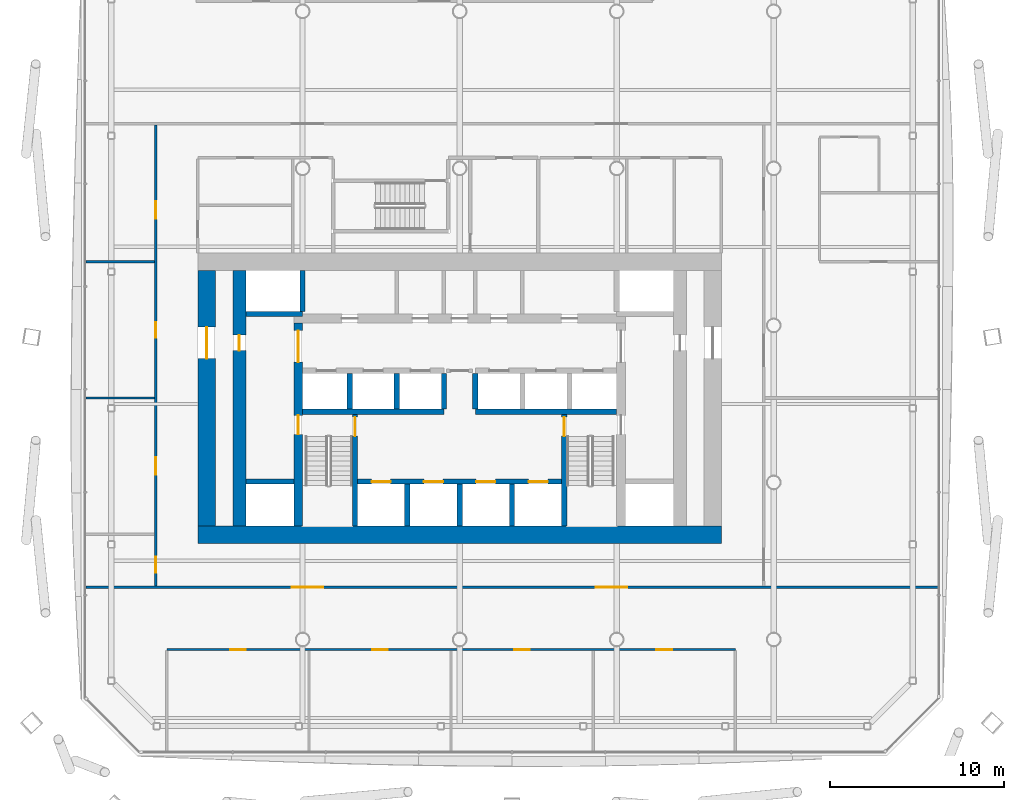
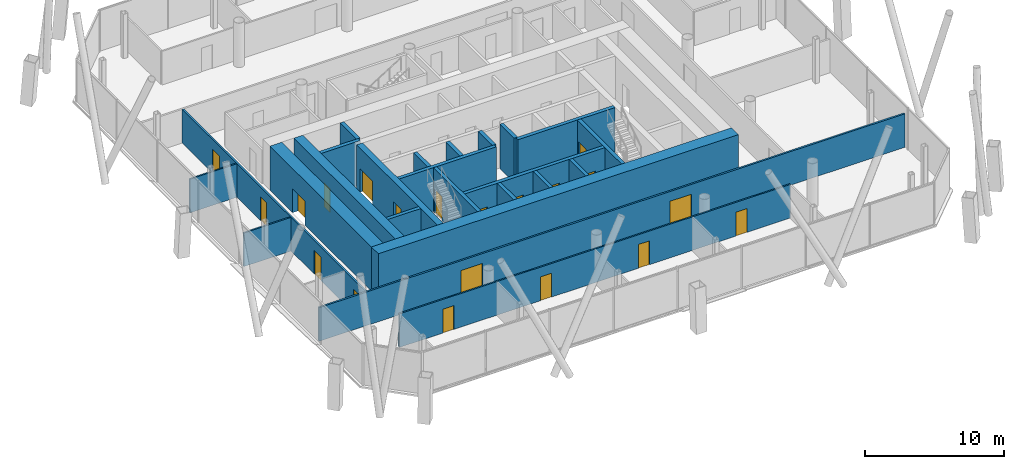
# One storey, part 14 of 22: 24 walls, 20 doors, 20 openings.
"""IFC4 building model written with IfcOpenShell, lengths in metres."""

from ifc_helpers import new_model, si_unit, direction, frame, frame_2d, origin, place, context, subcontext, project, spatial, rectangle, extrude, material, layer, layer_set, type_object, element, fill, save


model = new_model("IFC4")

# Units and contexts
model_context = context("Model", 3, precision=1e-05, world=origin(), true_north=direction((0.0, 1.0)))
body_context = subcontext(model_context, "Body", "Model", "MODEL_VIEW")
ifc_project = project(units=[si_unit("LENGTHUNIT", "METRE"), si_unit("AREAUNIT", "SQUARE_METRE"), si_unit("VOLUMEUNIT", "CUBIC_METRE"), si_unit("PLANEANGLEUNIT", "RADIAN"), si_unit("MASSUNIT", "GRAM", prefix="KILO")], contexts=[model_context])

# Site, building, storey
site_placement = place(None, origin())
site = spatial("IfcSite", under=ifc_project, at=site_placement, CompositionType="ELEMENT")
building_placement = place(site_placement, origin())
building = spatial("IfcBuilding", under=site, at=building_placement, Name="Tskaro Facet Tower", CompositionType="ELEMENT")
storey_placement = place(building_placement, frame((0.0, 0.0, 85.5)))
storey = spatial("IfcBuildingStorey", under=building, at=storey_placement, Name="L20", CompositionType="ELEMENT", Elevation=85.5)

# Wall
ifc_material_1 = material(Name="Concrete C60/75", Category="concrete")
ifc_layer_1 = layer(ifc_material_1, 0.300048828125, Name="Concrete C60/75")
ifc_layer_set_1 = layer_set([ifc_layer_1], Name="Concrete C60/75")
wall_type_1 = type_object("IfcWallType", Name="CORE-SHAFT", PredefinedType="SHEAR", material=ifc_layer_set_1)
wall_1_placement = place(storey_placement, frame((-12.25, -8.949951171875, 0.0), z_axis=(0.0, 0.0, 1.0), x_axis=(1.0, 0.0, 0.0)))
element("IfcWall", 1, at=wall_1_placement, inside=storey, type_object=wall_type_1, Name="Shaft wall W004", PredefinedType="SHEAR", context=body_context, shape_type="SweptSolid", body=[
    extrude(rectangle(XDim=2.75, YDim=0.300048828125, at=frame_2d((1.375, 0.0))), origin(), (0.0, 0.0, 1.0), 3.89990234375),
])

# Wall, openings, doors
wall_2_placement = place(storey_placement, frame((-5.85009765625, -8.949951171875, 0.0), z_axis=(0.0, 0.0, 1.0), x_axis=(1.0, 0.0, 0.0)))
wall_2 = element("IfcWall", 2, at=wall_2_placement, inside=storey, type_object=wall_type_1, Name="Shaft wall W005", PredefinedType="SHEAR", context=body_context, shape_type="SweptSolid", body=[
    extrude(rectangle(XDim=11.7001953125, YDim=0.300048828125, at=frame_2d((5.85009765625, 0.0))), origin(), (0.0, 0.0, 1.0), 3.89990234375),
])
opening_1_placement = place(wall_2_placement, frame((0.800048828125, 0.0, 0.0)))
opening_1 = element("IfcOpeningElement", 3, at=opening_1_placement, cuts=wall_2, Name="Opening LD-FF1", PredefinedType="OPENING", context=body_context, shape_type="SweptSolid", body=[
    extrude(rectangle(XDim=1.10009765625, YDim=2.10009765625, at=frame_2d((0.550048828125, 1.050048828125))), frame((0.0, 0.159912109375, 0.0), z_axis=(0.0, -1.0, 0.0), x_axis=(1.0, 0.0, 0.0)), (0.0, 0.0, 1.0), 0.320068359375),
])
opening_2_placement = place(wall_2_placement, frame((3.800048828125, 0.0, 0.0)))
opening_2 = element("IfcOpeningElement", 4, at=opening_2_placement, cuts=wall_2, Name="Opening LD-FF2", PredefinedType="OPENING", context=body_context, shape_type="SweptSolid", body=[
    extrude(rectangle(XDim=1.10009765625, YDim=2.10009765625, at=frame_2d((0.550048828125, 1.050048828125))), frame((0.0, 0.159912109375, 0.0), z_axis=(0.0, -1.0, 0.0), x_axis=(1.0, 0.0, 0.0)), (0.0, 0.0, 1.0), 0.320068359375),
])
opening_3_placement = place(wall_2_placement, frame((6.800048828125, 0.0, 0.0)))
opening_3 = element("IfcOpeningElement", 5, at=opening_3_placement, cuts=wall_2, Name="Opening LD-SV1", PredefinedType="OPENING", context=body_context, shape_type="SweptSolid", body=[
    extrude(rectangle(XDim=1.10009765625, YDim=2.10009765625, at=frame_2d((0.550048828125, 1.050048828125))), frame((0.0, 0.159912109375, 0.0), z_axis=(0.0, -1.0, 0.0), x_axis=(1.0, 0.0, 0.0)), (0.0, 0.0, 1.0), 0.320068359375),
])
opening_4_placement = place(wall_2_placement, frame((9.800048828125, 0.0, 0.0)))
opening_4 = element("IfcOpeningElement", 6, at=opening_4_placement, cuts=wall_2, Name="Opening LD-SV2", PredefinedType="OPENING", context=body_context, shape_type="SweptSolid", body=[
    extrude(rectangle(XDim=1.10009765625, YDim=2.10009765625, at=frame_2d((0.550048828125, 1.050048828125))), frame((0.0, 0.159912109375, 0.0), z_axis=(0.0, -1.0, 0.0), x_axis=(1.0, 0.0, 0.0)), (0.0, 0.0, 1.0), 0.320068359375),
])
ifc_material_2 = material(Name="Stainless steel", Category="steel")
door_type_1 = type_object("IfcDoorType", Name="D-LANDING", OperationType="NOTDEFINED", PredefinedType="DOOR", material=ifc_material_2)
door_1_placement = place(opening_1_placement, origin())
door_1 = element("IfcDoor", 7, at=door_1_placement, inside=storey, type_object=door_type_1, Name="Landing door FF1", OperationType="DOUBLE_DOOR_SLIDING", OverallHeight=2.10009765625, OverallWidth=1.10009765625, PredefinedType="DOOR", context=body_context, shape_type="SweptSolid", body=[
    extrude(rectangle(XDim=1.10009765625, YDim=2.10009765625, at=frame_2d((0.550048828125, 1.050048828125))), frame((0.0, 0.02490234375, 0.0), z_axis=(0.0, -1.0, 0.0), x_axis=(1.0, 0.0, 0.0)), (0.0, 0.0, 1.0), 0.050048828125),
])
fill(opening_1, door_1)
door_2_placement = place(opening_2_placement, origin())
door_2 = element("IfcDoor", 8, at=door_2_placement, inside=storey, type_object=door_type_1, Name="Landing door FF2", OperationType="DOUBLE_DOOR_SLIDING", OverallHeight=2.10009765625, OverallWidth=1.10009765625, PredefinedType="DOOR", context=body_context, shape_type="SweptSolid", body=[
    extrude(rectangle(XDim=1.10009765625, YDim=2.10009765625, at=frame_2d((0.550048828125, 1.050048828125))), frame((0.0, 0.02490234375, 0.0), z_axis=(0.0, -1.0, 0.0), x_axis=(1.0, 0.0, 0.0)), (0.0, 0.0, 1.0), 0.050048828125),
])
fill(opening_2, door_2)
door_3_placement = place(opening_3_placement, origin())
door_3 = element("IfcDoor", 9, at=door_3_placement, inside=storey, type_object=door_type_1, Name="Landing door SV1", OperationType="DOUBLE_DOOR_SLIDING", OverallHeight=2.10009765625, OverallWidth=1.10009765625, PredefinedType="DOOR", context=body_context, shape_type="SweptSolid", body=[
    extrude(rectangle(XDim=1.10009765625, YDim=2.10009765625, at=frame_2d((0.550048828125, 1.050048828125))), frame((0.0, 0.02490234375, 0.0), z_axis=(0.0, -1.0, 0.0), x_axis=(1.0, 0.0, 0.0)), (0.0, 0.0, 1.0), 0.050048828125),
])
fill(opening_3, door_3)
door_4_placement = place(opening_4_placement, origin())
door_4 = element("IfcDoor", 10, at=door_4_placement, inside=storey, type_object=door_type_1, Name="Landing door SV2", OperationType="DOUBLE_DOOR_SLIDING", OverallHeight=2.10009765625, OverallWidth=1.10009765625, PredefinedType="DOOR", context=body_context, shape_type="SweptSolid", body=[
    extrude(rectangle(XDim=1.10009765625, YDim=2.10009765625, at=frame_2d((0.550048828125, 1.050048828125))), frame((0.0, 0.02490234375, 0.0), z_axis=(0.0, -1.0, 0.0), x_axis=(1.0, 0.0, 0.0)), (0.0, 0.0, 1.0), 0.050048828125),
])
fill(opening_4, door_4)

# Walls
for number, where, z_axis, x_axis, name in (
    (11, (-9.0, -4.949951171875, 0.0), (0.0, 0.0, 1.0), (1.0, 0.0, 0.0), "Shaft wall W007"),
    (12, (0.89990234375, -4.949951171875, 0.0), (0.0, 0.0, 1.0), (1.0, 0.0, 0.0), "Shaft wall W008"),
):
    element("IfcWall", number, at=place(storey_placement, frame(where, z_axis=z_axis, x_axis=x_axis)), inside=storey, type_object=wall_type_1, Name=name, PredefinedType="SHEAR", context=body_context, shape_type="SweptSolid", body=[
        extrude(rectangle(XDim=8.10009765625, YDim=0.300048828125, at=frame_2d((4.050048828125, 0.0))), origin(), (0.0, 0.0, 1.0), 3.89990234375),
    ])
wall_3_placement = place(storey_placement, frame((-9.0, 0.64990234375, 0.0), z_axis=(0.0, 0.0, 1.0), x_axis=(-1.0, 0.0, 0.0)))
element("IfcWall", 13, at=wall_3_placement, inside=storey, type_object=wall_type_1, Name="Shaft wall W014", PredefinedType="SHEAR", context=body_context, shape_type="SweptSolid", body=[
    extrude(rectangle(XDim=3.25, YDim=0.300048828125, at=frame_2d((1.625, 0.0))), origin(), (0.0, 0.0, 1.0), 3.89990234375),
])
wall_4_placement = place(storey_placement, frame((-9.0, 0.800048828125, 0.0), z_axis=(0.0, 0.0, 1.0), x_axis=(0.0, 1.0, 0.0)))
element("IfcWall", 14, at=wall_4_placement, inside=storey, type_object=wall_type_1, Name="Shaft wall W033", PredefinedType="SHEAR", context=body_context, shape_type="SweptSolid", body=[
    extrude(rectangle(XDim=2.349853515625, YDim=0.300048828125, at=frame_2d((1.1748046875, 0.0))), origin(), (0.0, 0.0, 1.0), 3.89990234375),
])
wall_5_placement = place(storey_placement, frame((-6.300048828125, -4.800048828125, 0.0), z_axis=(0.0, 0.0, 1.0), x_axis=(0.0, 1.0, 0.0)))
element("IfcWall", 15, at=wall_5_placement, inside=storey, type_object=wall_type_1, Name="Shaft wall W039", PredefinedType="SHEAR", context=body_context, shape_type="SweptSolid", body=[
    extrude(rectangle(XDim=2.050048828125, YDim=0.300048828125, at=frame_2d((1.02490234375, 0.0))), origin(), (0.0, 0.0, 1.0), 3.89990234375),
])

# Wall, opening, door
wall_6_placement = place(storey_placement, frame((-6.0, -11.5, 0.0), z_axis=(0.0, 0.0, 1.0), x_axis=(0.0, 1.0, 0.0)))
wall_6 = element("IfcWall", 16, at=wall_6_placement, inside=storey, type_object=wall_type_1, Name="Shaft wall W040", PredefinedType="SHEAR", context=body_context, shape_type="SweptSolid", body=[
    extrude(rectangle(XDim=6.39990234375, YDim=0.300048828125, at=frame_2d((3.199951171875, 0.0))), origin(), (0.0, 0.0, 1.0), 3.89990234375),
])
opening_5_placement = place(wall_6_placement, frame((5.14990234375, 0.0, 0.0)))
opening_5 = element("IfcOpeningElement", 17, at=opening_5_placement, cuts=wall_6, Name="Opening ST-1-D1", PredefinedType="OPENING", context=body_context, shape_type="SweptSolid", body=[
    extrude(rectangle(XDim=1.10009765625, YDim=2.10009765625, at=frame_2d((0.550048828125, 1.050048828125))), frame((0.0, 0.159912109375, 0.0), z_axis=(0.0, -1.0, 0.0), x_axis=(1.0, 0.0, 0.0)), (0.0, 0.0, 1.0), 0.320068359375),
])
ifc_material_3 = material(Name="Steel", Category="steel")
door_type_2 = type_object("IfcDoorType", Name="D-STAIR", OperationType="NOTDEFINED", PredefinedType="DOOR", material=ifc_material_3)
door_5_placement = place(opening_5_placement, origin())
door_5 = element("IfcDoor", 18, at=door_5_placement, inside=storey, type_object=door_type_2, Name="Stair door 1", OperationType="SINGLE_SWING_LEFT", OverallHeight=2.10009765625, OverallWidth=1.10009765625, PredefinedType="DOOR", context=body_context, shape_type="SweptSolid", body=[
    extrude(rectangle(XDim=1.10009765625, YDim=2.10009765625, at=frame_2d((0.550048828125, 1.050048828125))), frame((0.0, 0.02490234375, 0.0), z_axis=(0.0, -1.0, 0.0), x_axis=(1.0, 0.0, 0.0)), (0.0, 0.0, 1.0), 0.050048828125),
])
fill(opening_5, door_5)

# Walls
wall_7_placement = place(storey_placement, frame((-3.60009765625, -4.800048828125, 0.0), z_axis=(0.0, 0.0, 1.0), x_axis=(0.0, 1.0, 0.0)))
element("IfcWall", 19, at=wall_7_placement, inside=storey, type_object=wall_type_1, Name="Shaft wall W041", PredefinedType="SHEAR", context=body_context, shape_type="SweptSolid", body=[
    extrude(rectangle(XDim=2.050048828125, YDim=0.300048828125, at=frame_2d((1.02490234375, 0.0))), origin(), (0.0, 0.0, 1.0), 3.89990234375),
])
wall_8_placement = place(storey_placement, frame((-3.0, -11.5, 0.0), z_axis=(0.0, 0.0, 1.0), x_axis=(0.0, 1.0, 0.0)))
element("IfcWall", 20, at=wall_8_placement, inside=storey, type_object=wall_type_1, Name="Shaft wall W043", PredefinedType="SHEAR", context=body_context, shape_type="SweptSolid", body=[
    extrude(rectangle(XDim=2.39990234375, YDim=0.300048828125, at=frame_2d((1.199951171875, 0.0))), origin(), (0.0, 0.0, 1.0), 3.89990234375),
])
wall_9_placement = place(storey_placement, frame((-0.89990234375, -4.800048828125, 0.0), z_axis=(0.0, 0.0, 1.0), x_axis=(0.0, 1.0, 0.0)))
element("IfcWall", 21, at=wall_9_placement, inside=storey, type_object=wall_type_1, Name="Shaft wall W044", PredefinedType="SHEAR", context=body_context, shape_type="SweptSolid", body=[
    extrude(rectangle(XDim=2.050048828125, YDim=0.300048828125, at=frame_2d((1.02490234375, 0.0))), origin(), (0.0, 0.0, 1.0), 3.89990234375),
])
wall_10_placement = place(storey_placement, frame((0.0, -11.5, 0.0), z_axis=(0.0, 0.0, 1.0), x_axis=(0.0, 1.0, 0.0)))
element("IfcWall", 22, at=wall_10_placement, inside=storey, type_object=wall_type_1, Name="Shaft wall W049", PredefinedType="SHEAR", context=body_context, shape_type="SweptSolid", body=[
    extrude(rectangle(XDim=2.39990234375, YDim=0.300048828125, at=frame_2d((1.199951171875, 0.0))), origin(), (0.0, 0.0, 1.0), 3.89990234375),
])
wall_11_placement = place(storey_placement, frame((0.89990234375, -4.800048828125, 0.0), z_axis=(0.0, 0.0, 1.0), x_axis=(0.0, 1.0, 0.0)))
element("IfcWall", 23, at=wall_11_placement, inside=storey, type_object=wall_type_1, Name="Shaft wall W051", PredefinedType="SHEAR", context=body_context, shape_type="SweptSolid", body=[
    extrude(rectangle(XDim=2.050048828125, YDim=0.300048828125, at=frame_2d((1.02490234375, 0.0))), origin(), (0.0, 0.0, 1.0), 3.89990234375),
])
wall_12_placement = place(storey_placement, frame((3.0, -11.5, 0.0), z_axis=(0.0, 0.0, 1.0), x_axis=(0.0, 1.0, 0.0)))
element("IfcWall", 24, at=wall_12_placement, inside=storey, type_object=wall_type_1, Name="Shaft wall W053", PredefinedType="SHEAR", context=body_context, shape_type="SweptSolid", body=[
    extrude(rectangle(XDim=2.39990234375, YDim=0.300048828125, at=frame_2d((1.199951171875, 0.0))), origin(), (0.0, 0.0, 1.0), 3.89990234375),
])

# Wall, opening, door
wall_13_placement = place(storey_placement, frame((6.0, -5.10009765625, 0.0), z_axis=(0.0, 0.0, 1.0), x_axis=(0.0, -1.0, 0.0)))
wall_13 = element("IfcWall", 25, at=wall_13_placement, inside=storey, type_object=wall_type_1, Name="Shaft wall W057", PredefinedType="SHEAR", context=body_context, shape_type="SweptSolid", body=[
    extrude(rectangle(XDim=6.39990234375, YDim=0.300048828125, at=frame_2d((3.199951171875, 0.0))), origin(), (0.0, 0.0, 1.0), 3.89990234375),
])
opening_6_placement = place(wall_13_placement, frame((0.14990234375, 0.0, 0.0)))
opening_6 = element("IfcOpeningElement", 26, at=opening_6_placement, cuts=wall_13, Name="Opening ST-2-D1", PredefinedType="OPENING", context=body_context, shape_type="SweptSolid", body=[
    extrude(rectangle(XDim=1.10009765625, YDim=2.10009765625, at=frame_2d((0.550048828125, 1.050048828125))), frame((0.0, 0.159912109375, 0.0), z_axis=(0.0, -1.0, 0.0), x_axis=(1.0, 0.0, 0.0)), (0.0, 0.0, 1.0), 0.320068359375),
])
door_6_placement = place(opening_6_placement, origin())
door_6 = element("IfcDoor", 27, at=door_6_placement, inside=storey, type_object=door_type_2, Name="Stair door 2", OperationType="SINGLE_SWING_RIGHT", OverallHeight=2.10009765625, OverallWidth=1.10009765625, PredefinedType="DOOR", context=body_context, shape_type="SweptSolid", body=[
    extrude(rectangle(XDim=1.10009765625, YDim=2.10009765625, at=frame_2d((0.550048828125, 1.050048828125))), frame((0.0, 0.02490234375, 0.0), z_axis=(0.0, -1.0, 0.0), x_axis=(1.0, 0.0, 0.0)), (0.0, 0.0, 1.0), 0.050048828125),
])
fill(opening_6, door_6)

# Wall
ifc_layer_2 = layer(ifc_material_1, 1.0, Name="Concrete C60/75")
ifc_layer_set_2 = layer_set([ifc_layer_2], Name="Concrete C60/75")
wall_type_2 = type_object("IfcWallType", Name="Core wall 1000", PredefinedType="SHEAR", material=ifc_layer_set_2)
wall_14_placement = place(storey_placement, frame((-15.0, -12.0, 0.0), z_axis=(0.0, 0.0, 1.0), x_axis=(1.0, 0.0, 0.0)))
element("IfcWall", 28, at=wall_14_placement, inside=storey, type_object=wall_type_2, Name="Core wall CW-Z1S", PredefinedType="SHEAR", context=body_context, shape_type="SweptSolid", body=[
    extrude(rectangle(XDim=30.0, YDim=1.0, at=frame_2d((15.0, 0.0))), origin(), (0.0, 0.0, 1.0), 3.89990234375),
])

# Wall, opening, door
wall_15_placement = place(storey_placement, frame((-14.5, -11.5, 0.0), z_axis=(0.0, 0.0, 1.0), x_axis=(0.0, 1.0, 0.0)))
wall_15 = element("IfcWall", 29, at=wall_15_placement, inside=storey, type_object=wall_type_2, Name="Core wall CW-Z1W", PredefinedType="SHEAR", context=body_context, shape_type="SweptSolid", body=[
    extrude(rectangle(XDim=14.64990234375, YDim=1.0, at=frame_2d((7.324951171875, 0.0))), origin(), (0.0, 0.0, 1.0), 3.89990234375),
])
opening_7_placement = place(wall_15_placement, frame((9.60009765625, 0.0, 0.0)))
opening_7 = element("IfcOpeningElement", 30, at=opening_7_placement, cuts=wall_15, Name="Opening T6-D15", PredefinedType="OPENING", context=body_context, shape_type="SweptSolid", body=[
    extrude(rectangle(XDim=1.800048828125, YDim=2.10009765625, at=frame_2d((0.89990234375, 1.050048828125))), frame((0.0, 0.510009765625, 0.0), z_axis=(0.0, -1.0, 0.0), x_axis=(1.0, 0.0, 0.0)), (0.0, 0.0, 1.0), 1.02001953125),
])
door_type_3 = type_object("IfcDoorType", Name="D-CORE-PAIR", OperationType="NOTDEFINED", PredefinedType="DOOR", material=ifc_material_3)
door_7_placement = place(opening_7_placement, origin())
door_7 = element("IfcDoor", 31, at=door_7_placement, inside=storey, type_object=door_type_3, Name="Door T6-D15", OperationType="DOUBLE_DOOR_SINGLE_SWING", OverallHeight=2.10009765625, OverallWidth=1.800048828125, PredefinedType="DOOR", context=body_context, shape_type="SweptSolid", body=[
    extrude(rectangle(XDim=1.800048828125, YDim=2.10009765625, at=frame_2d((0.89990234375, 1.050048828125))), frame((0.0, 0.02490234375, 0.0), z_axis=(0.0, -1.0, 0.0), x_axis=(1.0, 0.0, 0.0)), (0.0, 0.0, 1.0), 0.050048828125),
])
fill(opening_7, door_7)

# Wall, openings, doors
ifc_material_4 = material(Name="Concrete C40/50", Category="concrete")
ifc_layer_3 = layer(ifc_material_4, 0.5, Name="Concrete C40/50")
ifc_layer_set_3 = layer_set([ifc_layer_3], Name="Concrete C40/50")
wall_type_3 = type_object("IfcWallType", Name="Core wall 500", PredefinedType="SHEAR", material=ifc_layer_set_3)
wall_16_placement = place(storey_placement, frame((-9.25, -11.5, 0.0), z_axis=(0.0, 0.0, 1.0), x_axis=(0.0, 1.0, 0.0)))
wall_16 = element("IfcWall", 32, at=wall_16_placement, inside=storey, type_object=wall_type_3, Name="Core wall CW-Z3W", PredefinedType="SHEAR", context=body_context, shape_type="SweptSolid", body=[
    extrude(rectangle(XDim=11.64990234375, YDim=0.5, at=frame_2d((5.824951171875, 0.0))), origin(), (0.0, 0.0, 1.0), 3.89990234375),
])
opening_8_placement = place(wall_16_placement, frame((9.39990234375, 0.0, 0.0)))
opening_8 = element("IfcOpeningElement", 33, at=opening_8_placement, cuts=wall_16, Name="Opening T6-D13", PredefinedType="OPENING", context=body_context, shape_type="SweptSolid", body=[
    extrude(rectangle(XDim=1.800048828125, YDim=2.10009765625, at=frame_2d((0.89990234375, 1.050048828125))), frame((0.0, 0.260009765625, 0.0), z_axis=(0.0, -1.0, 0.0), x_axis=(1.0, 0.0, 0.0)), (0.0, 0.0, 1.0), 0.52001953125),
])
opening_9_placement = place(wall_16_placement, frame((5.25, 0.0, 0.0)))
opening_9 = element("IfcOpeningElement", 34, at=opening_9_placement, cuts=wall_16, Name="Opening ST-1-D2", PredefinedType="OPENING", context=body_context, shape_type="SweptSolid", body=[
    extrude(rectangle(XDim=1.10009765625, YDim=2.10009765625, at=frame_2d((0.550048828125, 1.050048828125))), frame((0.0, 0.260009765625, 0.0), z_axis=(0.0, -1.0, 0.0), x_axis=(1.0, 0.0, 0.0)), (0.0, 0.0, 1.0), 0.52001953125),
])
door_8_placement = place(opening_8_placement, origin())
door_8 = element("IfcDoor", 35, at=door_8_placement, inside=storey, type_object=door_type_3, Name="Door T6-D13", OperationType="DOUBLE_DOOR_SINGLE_SWING", OverallHeight=2.10009765625, OverallWidth=1.800048828125, PredefinedType="DOOR", context=body_context, shape_type="SweptSolid", body=[
    extrude(rectangle(XDim=1.800048828125, YDim=2.10009765625, at=frame_2d((0.89990234375, 1.050048828125))), frame((0.0, 0.02490234375, 0.0), z_axis=(0.0, -1.0, 0.0), x_axis=(1.0, 0.0, 0.0)), (0.0, 0.0, 1.0), 0.050048828125),
])
fill(opening_8, door_8)
door_9_placement = place(opening_9_placement, origin())
door_9 = element("IfcDoor", 36, at=door_9_placement, inside=storey, type_object=door_type_2, Name="Stair door 1 west", OperationType="SINGLE_SWING_LEFT", OverallHeight=2.10009765625, OverallWidth=1.10009765625, PredefinedType="DOOR", context=body_context, shape_type="SweptSolid", body=[
    extrude(rectangle(XDim=1.10009765625, YDim=2.10009765625, at=frame_2d((0.550048828125, 1.050048828125))), frame((0.0, 0.02490234375, 0.0), z_axis=(0.0, -1.0, 0.0), x_axis=(1.0, 0.0, 0.0)), (0.0, 0.0, 1.0), 0.050048828125),
])
fill(opening_9, door_9)

# Wall, opening, door
ifc_material_5 = material(Name="Concrete C50/60", Category="concrete")
ifc_layer_4 = layer(ifc_material_5, 0.75, Name="Concrete C50/60")
ifc_layer_set_4 = layer_set([ifc_layer_4], Name="Concrete C50/60")
wall_type_4 = type_object("IfcWallType", Name="Core wall 750", PredefinedType="SHEAR", material=ifc_layer_set_4)
wall_17_placement = place(storey_placement, frame((-12.625, -11.5, 0.0), z_axis=(0.0, 0.0, 1.0), x_axis=(0.0, 1.0, 0.0)))
wall_17 = element("IfcWall", 37, at=wall_17_placement, inside=storey, type_object=wall_type_4, Name="Core wall CW-Z2W", PredefinedType="SHEAR", context=body_context, shape_type="SweptSolid", body=[
    extrude(rectangle(XDim=14.64990234375, YDim=0.75, at=frame_2d((7.324951171875, 0.0))), origin(), (0.0, 0.0, 1.0), 3.89990234375),
])
opening_10_placement = place(wall_17_placement, frame((10.050048828125, 0.0, 0.0)))
opening_10 = element("IfcOpeningElement", 38, at=opening_10_placement, cuts=wall_17, Name="Opening T6-D16", PredefinedType="OPENING", context=body_context, shape_type="SweptSolid", body=[
    extrude(rectangle(XDim=0.89990234375, YDim=2.10009765625, at=frame_2d((0.449951171875, 1.050048828125))), frame((0.0, 0.385009765625, 0.0), z_axis=(0.0, -1.0, 0.0), x_axis=(1.0, 0.0, 0.0)), (0.0, 0.0, 1.0), 0.77001953125),
])
ifc_material_6 = material(Name="Timber", Category="wood")
door_type_4 = type_object("IfcDoorType", Name="D-ROOM", OperationType="NOTDEFINED", PredefinedType="DOOR", material=ifc_material_6)
door_10_placement = place(opening_10_placement, origin())
door_10 = element("IfcDoor", 39, at=door_10_placement, inside=storey, type_object=door_type_4, Name="Door T6-D16", OperationType="SINGLE_SWING_LEFT", OverallHeight=2.10009765625, OverallWidth=0.89990234375, PredefinedType="DOOR", context=body_context, shape_type="SweptSolid", body=[
    extrude(rectangle(XDim=0.89990234375, YDim=2.10009765625, at=frame_2d((0.449951171875, 1.050048828125))), frame((0.0, 0.02490234375, 0.0), z_axis=(0.0, -1.0, 0.0), x_axis=(1.0, 0.0, 0.0)), (0.0, 0.0, 1.0), 0.050048828125),
])
fill(opening_10, door_10)

# Wall, openings, doors
ifc_material_7 = material(Name="Gypsum board on steel studs", Category="steel")
ifc_layer_5 = layer(ifc_material_7, 0.125, Name="Gypsum board on steel studs")
ifc_layer_set_5 = layer_set([ifc_layer_5], Name="Gypsum board on steel studs")
wall_type_5 = type_object("IfcWallType", Name="PART", PredefinedType="PARTITIONING", material=ifc_layer_set_5)
wall_18_placement = place(storey_placement, frame((15.798095703125, -18.580078125, 0.0), z_axis=(0.0, 0.0, 1.0), x_axis=(-1.0, 0.0, 0.0)))
wall_18 = element("IfcWall", 40, at=wall_18_placement, inside=storey, type_object=wall_type_5, Name="Partition W001", PredefinedType="PARTITIONING", context=body_context, shape_type="SweptSolid", body=[
    extrude(rectangle(XDim=32.58203125, YDim=0.125, at=frame_2d((16.291015625, 0.0))), origin(), (0.0, 0.0, 1.0), 2.9599609375),
])
opening_11_placement = place(wall_18_placement, frame((28.05908203125, 0.0, 0.0)))
opening_11 = element("IfcOpeningElement", 41, at=opening_11_placement, cuts=wall_18, Name="Opening T6-D01", PredefinedType="OPENING", context=body_context, shape_type="SweptSolid", body=[
    extrude(rectangle(XDim=0.89990234375, YDim=2.10009765625, at=frame_2d((0.449951171875, 1.050048828125))), frame((0.0, 0.072509765625, 0.0), z_axis=(0.0, -1.0, 0.0), x_axis=(1.0, 0.0, 0.0)), (0.0, 0.0, 1.0), 0.14501953125),
])
opening_12_placement = place(wall_18_placement, frame((19.91357421875, 0.0, 0.0)))
opening_12 = element("IfcOpeningElement", 42, at=opening_12_placement, cuts=wall_18, Name="Opening T6-D02", PredefinedType="OPENING", context=body_context, shape_type="SweptSolid", body=[
    extrude(rectangle(XDim=0.89990234375, YDim=2.10009765625, at=frame_2d((0.449951171875, 1.050048828125))), frame((0.0, 0.072509765625, 0.0), z_axis=(0.0, -1.0, 0.0), x_axis=(1.0, 0.0, 0.0)), (0.0, 0.0, 1.0), 0.14501953125),
])
opening_13_placement = place(wall_18_placement, frame((11.76806640625, 0.0, 0.0)))
opening_13 = element("IfcOpeningElement", 43, at=opening_13_placement, cuts=wall_18, Name="Opening T6-D03", PredefinedType="OPENING", context=body_context, shape_type="SweptSolid", body=[
    extrude(rectangle(XDim=0.89990234375, YDim=2.10009765625, at=frame_2d((0.449951171875, 1.050048828125))), frame((0.0, 0.072509765625, 0.0), z_axis=(0.0, -1.0, 0.0), x_axis=(1.0, 0.0, 0.0)), (0.0, 0.0, 1.0), 0.14501953125),
])
opening_14_placement = place(wall_18_placement, frame((3.62255859375, 0.0, 0.0)))
opening_14 = element("IfcOpeningElement", 44, at=opening_14_placement, cuts=wall_18, Name="Opening T6-D04", PredefinedType="OPENING", context=body_context, shape_type="SweptSolid", body=[
    extrude(rectangle(XDim=0.89990234375, YDim=2.10009765625, at=frame_2d((0.449951171875, 1.050048828125))), frame((0.0, 0.072509765625, 0.0), z_axis=(0.0, -1.0, 0.0), x_axis=(1.0, 0.0, 0.0)), (0.0, 0.0, 1.0), 0.14501953125),
])
door_11_placement = place(opening_11_placement, origin())
door_11 = element("IfcDoor", 45, at=door_11_placement, inside=storey, type_object=door_type_4, Name="Door T6-D01", OperationType="SINGLE_SWING_RIGHT", OverallHeight=2.10009765625, OverallWidth=0.89990234375, PredefinedType="DOOR", context=body_context, shape_type="SweptSolid", body=[
    extrude(rectangle(XDim=0.89990234375, YDim=2.10009765625, at=frame_2d((0.449951171875, 1.050048828125))), frame((0.0, 0.02490234375, 0.0), z_axis=(0.0, -1.0, 0.0), x_axis=(1.0, 0.0, 0.0)), (0.0, 0.0, 1.0), 0.050048828125),
])
fill(opening_11, door_11)
door_12_placement = place(opening_12_placement, origin())
door_12 = element("IfcDoor", 46, at=door_12_placement, inside=storey, type_object=door_type_4, Name="Door T6-D02", OperationType="SINGLE_SWING_RIGHT", OverallHeight=2.10009765625, OverallWidth=0.89990234375, PredefinedType="DOOR", context=body_context, shape_type="SweptSolid", body=[
    extrude(rectangle(XDim=0.89990234375, YDim=2.10009765625, at=frame_2d((0.449951171875, 1.050048828125))), frame((0.0, 0.02490234375, 0.0), z_axis=(0.0, -1.0, 0.0), x_axis=(1.0, 0.0, 0.0)), (0.0, 0.0, 1.0), 0.050048828125),
])
fill(opening_12, door_12)
door_13_placement = place(opening_13_placement, origin())
door_13 = element("IfcDoor", 47, at=door_13_placement, inside=storey, type_object=door_type_4, Name="Door T6-D03", OperationType="SINGLE_SWING_RIGHT", OverallHeight=2.10009765625, OverallWidth=0.89990234375, PredefinedType="DOOR", context=body_context, shape_type="SweptSolid", body=[
    extrude(rectangle(XDim=0.89990234375, YDim=2.10009765625, at=frame_2d((0.449951171875, 1.050048828125))), frame((0.0, 0.02490234375, 0.0), z_axis=(0.0, -1.0, 0.0), x_axis=(1.0, 0.0, 0.0)), (0.0, 0.0, 1.0), 0.050048828125),
])
fill(opening_13, door_13)
door_14_placement = place(opening_14_placement, origin())
door_14 = element("IfcDoor", 48, at=door_14_placement, inside=storey, type_object=door_type_4, Name="Door T6-D04", OperationType="SINGLE_SWING_RIGHT", OverallHeight=2.10009765625, OverallWidth=0.89990234375, PredefinedType="DOOR", context=body_context, shape_type="SweptSolid", body=[
    extrude(rectangle(XDim=0.89990234375, YDim=2.10009765625, at=frame_2d((0.449951171875, 1.050048828125))), frame((0.0, 0.02490234375, 0.0), z_axis=(0.0, -1.0, 0.0), x_axis=(1.0, 0.0, 0.0)), (0.0, 0.0, 1.0), 0.050048828125),
])
fill(opening_14, door_14)

# Walls
for number, where, z_axis, x_axis, name in (
    (49, (-21.4130859375, -4.162109375, 0.0), (0.0, 0.0, 1.0), (1.0, 0.0, 0.0), "Partition W009"),
    (50, (-21.4130859375, 3.64794921875, 0.0), (0.0, 0.0, 1.0), (1.0, 0.0, 0.0), "Partition W016"),
):
    element("IfcWall", number, at=place(storey_placement, frame(where, z_axis=z_axis, x_axis=x_axis)), inside=storey, type_object=wall_type_5, Name=name, PredefinedType="PARTITIONING", context=body_context, shape_type="SweptSolid", body=[
        extrude(rectangle(XDim=3.9130859375, YDim=0.125, at=frame_2d((1.95654296875, 0.0))), origin(), (0.0, 0.0, 1.0), 2.9599609375),
    ])

# Wall, openings, doors
ifc_layer_6 = layer(ifc_material_7, 0.14990234375, Name="Gypsum board on steel studs")
ifc_layer_set_6 = layer_set([ifc_layer_6], Name="Gypsum board on steel studs")
wall_type_6 = type_object("IfcWallType", Name="PART-CORR", PredefinedType="PARTITIONING", material=ifc_layer_set_6)
wall_19_placement = place(storey_placement, frame((-21.4130859375, -15.0, 0.0), z_axis=(0.0, 0.0, 1.0), x_axis=(1.0, 0.0, 0.0)))
wall_19 = element("IfcWall", 51, at=wall_19_placement, inside=storey, type_object=wall_type_6, Name="Corridor wall W002", PredefinedType="PARTITIONING", context=body_context, shape_type="SweptSolid", body=[
    extrude(rectangle(XDim=48.826171875, YDim=0.14990234375, at=frame_2d((24.4130859375, 0.0))), origin(), (0.0, 0.0, 1.0), 2.9599609375),
])
opening_15_placement = place(wall_19_placement, frame((11.800048828125, 0.0, 0.0)))
opening_15 = element("IfcOpeningElement", 52, at=opening_15_placement, cuts=wall_19, Name="Opening T6-D05", PredefinedType="OPENING", context=body_context, shape_type="SweptSolid", body=[
    extrude(rectangle(XDim=1.800048828125, YDim=2.10009765625, at=frame_2d((0.89990234375, 1.050048828125))), frame((0.0, 0.0849609375, 0.0), z_axis=(0.0, -1.0, 0.0), x_axis=(1.0, 0.0, 0.0)), (0.0, 0.0, 1.0), 0.169921875),
])
opening_16_placement = place(wall_19_placement, frame((29.22607421875, 0.0, 0.0)))
opening_16 = element("IfcOpeningElement", 53, at=opening_16_placement, cuts=wall_19, Name="Opening T6-D06", PredefinedType="OPENING", context=body_context, shape_type="SweptSolid", body=[
    extrude(rectangle(XDim=1.800048828125, YDim=2.10009765625, at=frame_2d((0.89990234375, 1.050048828125))), frame((0.0, 0.0849609375, 0.0), z_axis=(0.0, -1.0, 0.0), x_axis=(1.0, 0.0, 0.0)), (0.0, 0.0, 1.0), 0.169921875),
])
ifc_material_8 = material(Name="Glass", Category="glass")
door_type_5 = type_object("IfcDoorType", Name="D-ENTRY-PAIR", OperationType="NOTDEFINED", PredefinedType="DOOR", material=ifc_material_8)
door_15_placement = place(opening_15_placement, origin())
door_15 = element("IfcDoor", 54, at=door_15_placement, inside=storey, type_object=door_type_5, Name="Door T6-D05", OperationType="DOUBLE_DOOR_SINGLE_SWING", OverallHeight=2.10009765625, OverallWidth=1.800048828125, PredefinedType="DOOR", context=body_context, shape_type="SweptSolid", body=[
    extrude(rectangle(XDim=1.800048828125, YDim=2.10009765625, at=frame_2d((0.89990234375, 1.050048828125))), frame((0.0, 0.02490234375, 0.0), z_axis=(0.0, -1.0, 0.0), x_axis=(1.0, 0.0, 0.0)), (0.0, 0.0, 1.0), 0.050048828125),
])
fill(opening_15, door_15)
door_16_placement = place(opening_16_placement, origin())
door_16 = element("IfcDoor", 55, at=door_16_placement, inside=storey, type_object=door_type_5, Name="Door T6-D06", OperationType="DOUBLE_DOOR_SINGLE_SWING", OverallHeight=2.10009765625, OverallWidth=1.800048828125, PredefinedType="DOOR", context=body_context, shape_type="SweptSolid", body=[
    extrude(rectangle(XDim=1.800048828125, YDim=2.10009765625, at=frame_2d((0.89990234375, 1.050048828125))), frame((0.0, 0.02490234375, 0.0), z_axis=(0.0, -1.0, 0.0), x_axis=(1.0, 0.0, 0.0)), (0.0, 0.0, 1.0), 0.050048828125),
])
fill(opening_16, door_16)

wall_20_placement = place(storey_placement, frame((-17.425048828125, -14.925048828125, 0.0), z_axis=(0.0, 0.0, 1.0), x_axis=(0.0, 1.0, 0.0)))
wall_20 = element("IfcWall", 56, at=wall_20_placement, inside=storey, type_object=wall_type_6, Name="Corridor wall W028", PredefinedType="PARTITIONING", context=body_context, shape_type="SweptSolid", body=[
    extrude(rectangle(XDim=26.405029296875, YDim=0.14990234375, at=frame_2d((13.20263671875, 0.0))), origin(), (0.0, 0.0, 1.0), 2.9599609375),
])
opening_17_placement = place(wall_20_placement, frame((0.762451171875, 0.0, 0.0)))
opening_17 = element("IfcOpeningElement", 57, at=opening_17_placement, cuts=wall_20, Name="Opening T6-D07", PredefinedType="OPENING", context=body_context, shape_type="SweptSolid", body=[
    extrude(rectangle(XDim=0.89990234375, YDim=2.10009765625, at=frame_2d((0.449951171875, 1.050048828125))), frame((0.0, 0.0849609375, 0.0), z_axis=(0.0, -1.0, 0.0), x_axis=(1.0, 0.0, 0.0)), (0.0, 0.0, 1.0), 0.169921875),
])
opening_18_placement = place(wall_20_placement, frame((6.357421875, 0.0, 0.0)))
opening_18 = element("IfcOpeningElement", 58, at=opening_18_placement, cuts=wall_20, Name="Opening T6-D11", PredefinedType="OPENING", context=body_context, shape_type="SweptSolid", body=[
    extrude(rectangle(XDim=1.0, YDim=2.10009765625, at=frame_2d((0.5, 1.050048828125))), frame((0.0, 0.0849609375, 0.0), z_axis=(0.0, -1.0, 0.0), x_axis=(1.0, 0.0, 0.0)), (0.0, 0.0, 1.0), 0.169921875),
])
opening_19_placement = place(wall_20_placement, frame((14.218017578125, 0.0, 0.0)))
opening_19 = element("IfcOpeningElement", 59, at=opening_19_placement, cuts=wall_20, Name="Opening T6-D19", PredefinedType="OPENING", context=body_context, shape_type="SweptSolid", body=[
    extrude(rectangle(XDim=0.89990234375, YDim=2.10009765625, at=frame_2d((0.449951171875, 1.050048828125))), frame((0.0, 0.0849609375, 0.0), z_axis=(0.0, -1.0, 0.0), x_axis=(1.0, 0.0, 0.0)), (0.0, 0.0, 1.0), 0.169921875),
])
opening_20_placement = place(wall_20_placement, frame((21.051513671875, 0.0, 0.0)))
opening_20 = element("IfcOpeningElement", 60, at=opening_20_placement, cuts=wall_20, Name="Opening T6-D30", PredefinedType="OPENING", context=body_context, shape_type="SweptSolid", body=[
    extrude(rectangle(XDim=1.0, YDim=2.10009765625, at=frame_2d((0.5, 1.050048828125))), frame((0.0, 0.0849609375, 0.0), z_axis=(0.0, -1.0, 0.0), x_axis=(1.0, 0.0, 0.0)), (0.0, 0.0, 1.0), 0.169921875),
])
door_17_placement = place(opening_17_placement, origin())
door_17 = element("IfcDoor", 61, at=door_17_placement, inside=storey, type_object=door_type_4, Name="Door T6-D07", OperationType="SINGLE_SWING_LEFT", OverallHeight=2.10009765625, OverallWidth=0.89990234375, PredefinedType="DOOR", context=body_context, shape_type="SweptSolid", body=[
    extrude(rectangle(XDim=0.89990234375, YDim=2.10009765625, at=frame_2d((0.449951171875, 1.050048828125))), frame((0.0, 0.02490234375, 0.0), z_axis=(0.0, -1.0, 0.0), x_axis=(1.0, 0.0, 0.0)), (0.0, 0.0, 1.0), 0.050048828125),
])
fill(opening_17, door_17)
door_18_placement = place(opening_19_placement, origin())
door_18 = element("IfcDoor", 62, at=door_18_placement, inside=storey, type_object=door_type_4, Name="Door T6-D19", OperationType="SINGLE_SWING_LEFT", OverallHeight=2.10009765625, OverallWidth=0.89990234375, PredefinedType="DOOR", context=body_context, shape_type="SweptSolid", body=[
    extrude(rectangle(XDim=0.89990234375, YDim=2.10009765625, at=frame_2d((0.449951171875, 1.050048828125))), frame((0.0, 0.02490234375, 0.0), z_axis=(0.0, -1.0, 0.0), x_axis=(1.0, 0.0, 0.0)), (0.0, 0.0, 1.0), 0.050048828125),
])
fill(opening_19, door_18)
door_type_6 = type_object("IfcDoorType", Name="D-ROOM-WIDE", OperationType="NOTDEFINED", PredefinedType="DOOR", material=ifc_material_6)
door_19_placement = place(opening_18_placement, origin())
door_19 = element("IfcDoor", 63, at=door_19_placement, inside=storey, type_object=door_type_6, Name="Door T6-D11", OperationType="SINGLE_SWING_LEFT", OverallHeight=2.10009765625, OverallWidth=1.0, PredefinedType="DOOR", context=body_context, shape_type="SweptSolid", body=[
    extrude(rectangle(XDim=1.0, YDim=2.10009765625, at=frame_2d((0.5, 1.050048828125))), frame((0.0, 0.02490234375, 0.0), z_axis=(0.0, -1.0, 0.0), x_axis=(1.0, 0.0, 0.0)), (0.0, 0.0, 1.0), 0.050048828125),
])
fill(opening_18, door_19)
door_20_placement = place(opening_20_placement, origin())
door_20 = element("IfcDoor", 64, at=door_20_placement, inside=storey, type_object=door_type_6, Name="Door T6-D30", OperationType="SINGLE_SWING_LEFT", OverallHeight=2.10009765625, OverallWidth=1.0, PredefinedType="DOOR", context=body_context, shape_type="SweptSolid", body=[
    extrude(rectangle(XDim=1.0, YDim=2.10009765625, at=frame_2d((0.5, 1.050048828125))), frame((0.0, 0.02490234375, 0.0), z_axis=(0.0, -1.0, 0.0), x_axis=(1.0, 0.0, 0.0)), (0.0, 0.0, 1.0), 0.050048828125),
])
fill(opening_20, door_20)

save(model, "model.ifc")
